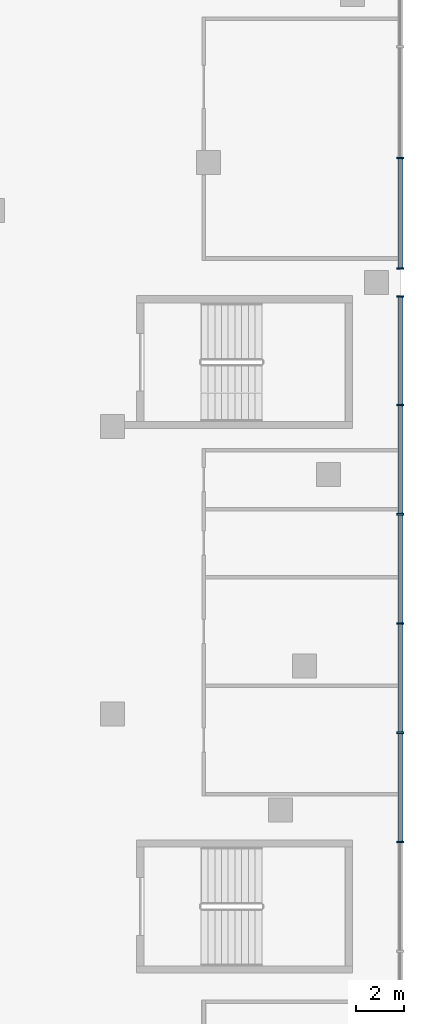
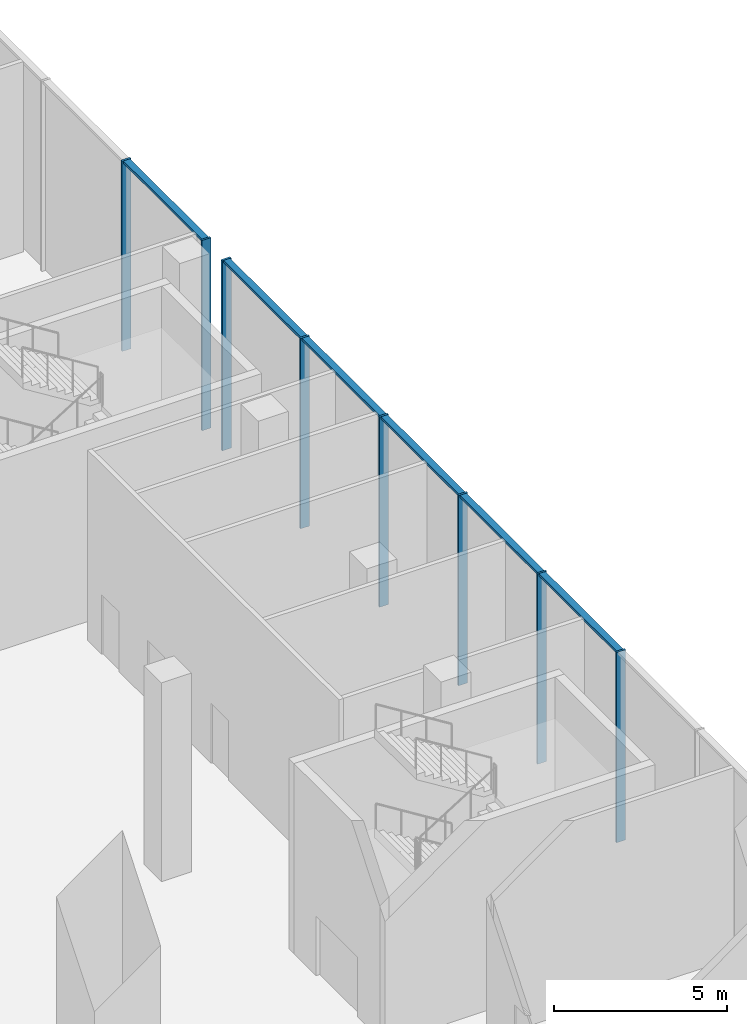
# One storey, part 15 of 41: 14 members, 2 elements without a shape of their own.
"""IFC4 building model written with IfcOpenShell, lengths in metres."""

import ifcopenshell
import ifcopenshell.guid

model = None  # the IFC model being written
_history = None  # IfcOwnerHistory: only IFC2X3 demands one
_inside = {}  # id of a spatial element -> (the spatial element, [elements in it])
_under = {}  # id of a project, library or spatial element -> (it, [spatial elements below it])
_declared = {}  # id of a project -> (the project, [libraries it declares])
_typed = {}  # id of a type object -> (the type object, [elements of that type])
_made_of = {}  # id of a material, layer set ... -> (it, [elements and type objects made of it])


def new_model(schema):
    """Start an empty IFC model of exactly this schema.

    Asked for "IFC4X3", IfcOpenShell would pick the latest addendum, in which some entities
    have other attributes; the version numbers below select the first issue.
    IFC2X3 requires an IfcOwnerHistory on every rooted entity: one is made here for all.
    """
    global model, _history
    if schema == "IFC4X3":
        model = ifcopenshell.file(schema_version=(4, 3, 0, 0))
    else:
        model = ifcopenshell.file(schema=schema)
    _inside.clear()
    _under.clear()
    _declared.clear()
    _typed.clear()
    _made_of.clear()
    _history = None
    if model.schema == "IFC2X3":
        org = make("IfcOrganization", Name="unknown")
        user = make(
            "IfcPersonAndOrganization",
            ThePerson=make("IfcPerson", FamilyName="unknown"),
            TheOrganization=org,
        )
        app = make(
            "IfcApplication",
            ApplicationDeveloper=org,
            Version="unknown",
            ApplicationFullName="unknown",
            ApplicationIdentifier="unknown",
        )
        _history = make(
            "IfcOwnerHistory",
            OwningUser=user,
            OwningApplication=app,
            ChangeAction="ADDED",
            CreationDate=0,
        )
    return model


def make(cls, **values):
    """One entity of the class cls with the attributes given. An attribute that is None is left unset."""
    return model.create_entity(
        cls, **{name: value for name, value in values.items() if value is not None}
    )


def rooted(cls, **values):
    """An entity with a GlobalId (a new one), such as an element, a storey or a relation."""
    return make(cls, GlobalId=ifcopenshell.guid.new(), OwnerHistory=_history, **values)


def si_unit(unit_type, name, prefix=None):
    """IfcSIUnit, for example si_unit("LENGTHUNIT", "METRE", prefix="MILLI")."""
    return make("IfcSIUnit", UnitType=unit_type, Prefix=prefix, Name=name)


def assignment(units):
    """IfcUnitAssignment: the units of a project."""
    return None if units is None else make("IfcUnitAssignment", Units=units)


def point(xyz):
    """IfcCartesianPoint."""
    return None if xyz is None else make("IfcCartesianPoint", Coordinates=xyz)


def direction(xyz):
    """IfcDirection."""
    return None if xyz is None else make("IfcDirection", DirectionRatios=xyz)


def frame(location, z_axis=None, x_axis=None):
    """IfcAxis2Placement3D, a coordinate frame: its origin and axes. An axis left out is left unset."""
    return make(
        "IfcAxis2Placement3D",
        Location=point(location),
        Axis=direction(z_axis),
        RefDirection=direction(x_axis),
    )


def frame_2d(location, x_axis=None):
    """IfcAxis2Placement2D, a coordinate frame in the plane: its origin and x axis."""
    return make(
        "IfcAxis2Placement2D", Location=point(location), RefDirection=direction(x_axis)
    )


def origin():
    """The frame at (0, 0, 0) with its axes left unset."""
    return frame((0.0, 0.0, 0.0))


def origin_2d():
    """The frame at (0, 0) in the plane with its x axis left unset."""
    return frame_2d((0.0, 0.0))


def place(relative_to, where):
    """IfcLocalPlacement: puts the frame where relative to a parent placement (None: the world)."""
    return make(
        "IfcLocalPlacement", PlacementRelTo=relative_to, RelativePlacement=where
    )


def context(
    kind, dimensions, precision=None, world=None, true_north=None, identifier=None
):
    """IfcGeometricRepresentationContext, for example the 3D "Model" context."""
    return make(
        "IfcGeometricRepresentationContext",
        ContextIdentifier=identifier,
        ContextType=kind,
        CoordinateSpaceDimension=dimensions,
        Precision=precision,
        WorldCoordinateSystem=world,
        TrueNorth=true_north,
    )


def subcontext(parent, identifier, kind, view, scale=None):
    """IfcGeometricRepresentationSubContext, for example "Body" below "Model"."""
    return make(
        "IfcGeometricRepresentationSubContext",
        ContextIdentifier=identifier,
        ContextType=kind,
        ParentContext=parent,
        TargetScale=scale,
        TargetView=view,
    )


def project(units=None, contexts=None):
    """IfcProject with its units and contexts."""
    return rooted(
        "IfcProject",
        Name="project",
        RepresentationContexts=contexts,
        UnitsInContext=assignment(units),
    )


def spatial(cls, under=None, at=None, **own):
    """A site, building, storey or space (cls), placed at a placement, below another one or the project."""
    s = rooted(cls, ObjectPlacement=at, **own)
    if under is not None:
        _under.setdefault(under.id(), (under, []))[1].append(s)
    return s


def profile(cls, at=None, kind="AREA", **sizes):
    """A parametric profile (cls). Its sizes go by their IFC names, for example OverallWidth=200.0."""
    return make(cls, ProfileType=kind, Position=at, **sizes)


def rectangle(**sizes):
    """IfcRectangleProfileDef."""
    return profile("IfcRectangleProfileDef", **sizes)


def extrude(swept, where, along, depth):
    """IfcExtrudedAreaSolid: the profile swept, set in the frame where, extruded along a direction by depth."""
    return make(
        "IfcExtrudedAreaSolid",
        SweptArea=swept,
        Position=where,
        ExtrudedDirection=direction(along),
        Depth=depth,
    )


def shape(context_of_items, identifier, shape_type, items):
    """IfcShapeRepresentation: the items that make up one representation, for example the "Body"."""
    return make(
        "IfcShapeRepresentation",
        ContextOfItems=context_of_items,
        RepresentationIdentifier=identifier,
        RepresentationType=shape_type,
        Items=items,
    )


def material(Name=None, Category=None):
    """IfcMaterial."""
    return make("IfcMaterial", Name=Name, Category=Category)


def material_profile(
    of_material, cross_section, Name=None, Category=None, Priority=None
):
    """IfcMaterialProfile: a cross section and its material."""
    return make(
        "IfcMaterialProfile",
        Name=Name,
        Material=of_material,
        Profile=cross_section,
        Priority=Priority,
        Category=Category,
    )


def profile_set(profiles, Name=None, composite=None):
    """IfcMaterialProfileSet."""
    return make(
        "IfcMaterialProfileSet",
        Name=Name,
        MaterialProfiles=profiles,
        CompositeProfile=composite,
    )


def made_of(thing, what):
    """Note that an element or type object is made of a material, layer set ...; save() writes the relation."""
    if what is not None:
        _made_of.setdefault(what.id(), (what, []))[1].append(thing)
    return thing


def type_object(cls, material=None, **own):
    """A type object (cls), such as IfcWallType, which elements share."""
    return made_of(rooted(cls, **own), material)


def element(
    cls,
    number,
    at=None,
    inside=None,
    cuts=None,
    type_object=None,
    material=None,
    context=None,
    identifier="Body",
    shape_type=None,
    held_by="IfcProductDefinitionShape",
    body=None,
    shapes=None,
    **own,
):
    """One element of the class cls, such as IfcWall. Its Tag is "e" and its number.

    at: its placement. inside: the storey or other place that contains it. cuts: it is an
    opening in that element (IfcRelVoidsElement). A single representation is given by context,
    identifier, shape_type and body (its items); several are given by shapes. held_by: the class
    of the entity that holds the representations. save() writes the other relations.
    """
    e = rooted(cls, Tag="e%d" % number, ObjectPlacement=at, **own)
    if body is not None:
        shapes = [shape(context, identifier, shape_type, body)]
    if shapes is not None:
        e.Representation = make(held_by, Representations=shapes)
    if inside is not None:
        _inside.setdefault(inside.id(), (inside, []))[1].append(e)
    if cuts is not None:
        rooted(
            "IfcRelVoidsElement", RelatingBuildingElement=cuts, RelatedOpeningElement=e
        )
    if type_object is not None:
        _typed.setdefault(type_object.id(), (type_object, []))[1].append(e)
    return made_of(e, material)


def aggregate(whole, parts):
    """IfcRelAggregates: a whole, such as a stair, and the parts it consists of."""
    return rooted("IfcRelAggregates", RelatingObject=whole, RelatedObjects=parts)


def save(model, path):
    """Write the relations noted so far, then the file.

    IfcRelAggregates (storeys below a building ...), IfcRelContainedInSpatialStructure (elements
    in a storey), IfcRelDefinesByType, IfcRelAssociatesMaterial and IfcRelDeclares: one each for
    every whole, place, type object, material and project.
    """
    for whole, parts in _under.values():
        aggregate(whole, parts)
    for where, things in _inside.values():
        rooted(
            "IfcRelContainedInSpatialStructure",
            RelatedElements=things,
            RelatingStructure=where,
        )
    for kind, things in _typed.values():
        rooted("IfcRelDefinesByType", RelatedObjects=things, RelatingType=kind)
    for what, things in _made_of.values():
        rooted("IfcRelAssociatesMaterial", RelatedObjects=things, RelatingMaterial=what)
    for by, libraries in _declared.values():
        rooted("IfcRelDeclares", RelatingContext=by, RelatedDefinitions=libraries)
    model.write(path)


model = new_model("IFC4")

# Units and contexts
model_context = context("Model", 3, precision=1e-05, world=origin(), true_north=direction((0.0, 1.0)))
body_context = subcontext(model_context, "Body", "Model", "MODEL_VIEW")
ifc_project = project(units=[si_unit("LENGTHUNIT", "METRE"), si_unit("AREAUNIT", "SQUARE_METRE"), si_unit("VOLUMEUNIT", "CUBIC_METRE"), si_unit("PLANEANGLEUNIT", "RADIAN"), si_unit("MASSUNIT", "GRAM", prefix="KILO")], contexts=[model_context])

# Site, building, storey
site_placement = place(None, origin())
site = spatial("IfcSite", under=ifc_project, at=site_placement, CompositionType="ELEMENT")
building_placement = place(site_placement, origin())
building = spatial("IfcBuilding", under=site, at=building_placement, Name="Wharfspan Tower", CompositionType="ELEMENT")
storey_placement = place(building_placement, frame((0.0, 0.0, 8.0)))
storey = spatial("IfcBuildingStorey", under=building, at=storey_placement, Name="L01", CompositionType="ELEMENT", Elevation=8.0)

# Curtain wall, members
ifc_material = material(Name="Aluminium 6063-T6", Category="aluminium")
curtain_wall_type = type_object("IfcCurtainWallType", Name="CURTAIN WALL ARENA STICK WALL", PredefinedType="NOTDEFINED", material=ifc_material)
curtain_wall_1_placement = place(storey_placement, origin())
curtain_wall_1 = element("IfcCurtainWall", 1, at=curtain_wall_1_placement, inside=storey, type_object=curtain_wall_type, Name="Concourse stick wall PF3.2", PredefinedType="NOTDEFINED")
ifc_material_profile_1 = material_profile(ifc_material, rectangle(XDim=0.300049, YDim=0.070068, at=origin_2d()))
ifc_profile_set_1 = profile_set([ifc_material_profile_1], Name="Aluminium 6063-T6")
member_type_1 = type_object("IfcMemberType", Name="MULLION ARENA STICK WALL 70x300", PredefinedType="MULLION", material=ifc_profile_set_1)
member_1_placement = place(storey_placement, frame((108.0, 2.664307, 0.0), z_axis=(0.0, 0.0, 1.0), x_axis=(-1.0, 0.0, 0.0)))
member_1 = element("IfcMember", 2, at=member_1_placement, type_object=member_type_1, Name="Concourse stick wall PF3.2 mullion 3", PredefinedType="MULLION", context=body_context, shape_type="SweptSolid", body=[
    extrude(rectangle(XDim=0.300049, YDim=0.070068, at=origin_2d()), origin(), (0.0, 0.0, 1.0), 6.699951),
])
member_2_placement = place(storey_placement, frame((108.0, 7.221436, 0.0), z_axis=(0.0, 0.0, 1.0), x_axis=(-1.0, 0.0, 0.0)))
member_2 = element("IfcMember", 3, at=member_2_placement, type_object=member_type_1, Name="Concourse stick wall PF3.2 mullion 4", PredefinedType="MULLION", context=body_context, shape_type="SweptSolid", body=[
    extrude(rectangle(XDim=0.300049, YDim=0.070068, at=origin_2d()), origin(), (0.0, 0.0, 1.0), 6.699951),
])
member_3_placement = place(storey_placement, frame((108.0, 11.778564, 0.0), z_axis=(0.0, 0.0, 1.0), x_axis=(-1.0, 0.0, 0.0)))
member_3 = element("IfcMember", 4, at=member_3_placement, type_object=member_type_1, Name="Concourse stick wall PF3.2 mullion 5", PredefinedType="MULLION", context=body_context, shape_type="SweptSolid", body=[
    extrude(rectangle(XDim=0.300049, YDim=0.070068, at=origin_2d()), origin(), (0.0, 0.0, 1.0), 6.699951),
])
member_4_placement = place(storey_placement, frame((108.0, 16.335693, 0.0), z_axis=(0.0, 0.0, 1.0), x_axis=(-1.0, 0.0, 0.0)))
member_4 = element("IfcMember", 5, at=member_4_placement, type_object=member_type_1, Name="Concourse stick wall PF3.2 mullion 6", PredefinedType="MULLION", context=body_context, shape_type="SweptSolid", body=[
    extrude(rectangle(XDim=0.300049, YDim=0.070068, at=origin_2d()), origin(), (0.0, 0.0, 1.0), 6.699951),
])
member_5_placement = place(storey_placement, frame((108.0, 20.892822, 0.0), z_axis=(0.0, 0.0, 1.0), x_axis=(-1.0, 0.0, 0.0)))
member_5 = element("IfcMember", 6, at=member_5_placement, type_object=member_type_1, Name="Concourse stick wall PF3.2 mullion 7", PredefinedType="MULLION", context=body_context, shape_type="SweptSolid", body=[
    extrude(rectangle(XDim=0.300049, YDim=0.070068, at=origin_2d()), origin(), (0.0, 0.0, 1.0), 6.699951),
])
member_6_placement = place(storey_placement, frame((108.0, 25.415039, 0.0), z_axis=(0.0, 0.0, 1.0), x_axis=(-1.0, 0.0, 0.0)))
member_6 = element("IfcMember", 7, at=member_6_placement, type_object=member_type_1, Name="Concourse stick wall PF3.2 mullion 8", PredefinedType="MULLION", context=body_context, shape_type="SweptSolid", body=[
    extrude(rectangle(XDim=0.300049, YDim=0.070068, at=origin_2d()), origin(), (0.0, 0.0, 1.0), 6.699951),
])

curtain_wall_2_placement = place(storey_placement, origin())
curtain_wall_2 = element("IfcCurtainWall", 8, at=curtain_wall_2_placement, inside=storey, type_object=curtain_wall_type, Name="Concourse stick wall PF3.3", PredefinedType="NOTDEFINED")
member_7_placement = place(storey_placement, frame((108.0, 26.584961, 0.0), z_axis=(0.0, 0.0, 1.0), x_axis=(-1.0, 0.0, 0.0)))
member_7 = element("IfcMember", 9, at=member_7_placement, type_object=member_type_1, Name="Concourse stick wall PF3.3 mullion 1", PredefinedType="MULLION", context=body_context, shape_type="SweptSolid", body=[
    extrude(rectangle(XDim=0.300049, YDim=0.070068, at=origin_2d()), origin(), (0.0, 0.0, 1.0), 6.699951),
])
member_8_placement = place(storey_placement, frame((108.0, 31.189941, 0.0), z_axis=(0.0, 0.0, 1.0), x_axis=(-1.0, 0.0, 0.0)))
member_8 = element("IfcMember", 10, at=member_8_placement, type_object=member_type_1, Name="Concourse stick wall PF3.3 mullion 2", PredefinedType="MULLION", context=body_context, shape_type="SweptSolid", body=[
    extrude(rectangle(XDim=0.300049, YDim=0.070068, at=origin_2d()), origin(), (0.0, 0.0, 1.0), 6.699951),
])

# Member
ifc_material_profile_2 = material_profile(ifc_material, rectangle(XDim=0.219971, YDim=0.090088, at=origin_2d()))
ifc_profile_set_2 = profile_set([ifc_material_profile_2], Name="Aluminium 6063-T6")
member_type_2 = type_object("IfcMemberType", Name="TRANSOM ARENA STICK WALL 90x220", PredefinedType="USERDEFINED", material=ifc_profile_set_2)
member_9_placement = place(storey_placement, frame((108.0, 2.699219, 6.655029), z_axis=(0.0, 1.0, 0.0), x_axis=(-1.0, 0.0, 0.0)))
member_9 = element("IfcMember", 11, at=member_9_placement, type_object=member_type_2, Name="Concourse stick wall PF3.2 transom 3", ObjectType="TRANSOM", PredefinedType="USERDEFINED", context=body_context, shape_type="SweptSolid", body=[
    extrude(rectangle(XDim=0.219971, YDim=0.090088, at=origin_2d()), origin(), (0.0, 0.0, 1.0), 4.487305),
])

member_10_placement = place(storey_placement, frame((108.0, 7.256348, 6.655029), z_axis=(0.0, 1.0, 0.0), x_axis=(-1.0, 0.0, 0.0)))
member_10 = element("IfcMember", 12, at=member_10_placement, type_object=member_type_2, Name="Concourse stick wall PF3.2 transom 4", ObjectType="TRANSOM", PredefinedType="USERDEFINED", context=body_context, shape_type="SweptSolid", body=[
    extrude(rectangle(XDim=0.219971, YDim=0.090088, at=origin_2d()), origin(), (0.0, 0.0, 1.0), 4.487305),
])

member_11_placement = place(storey_placement, frame((108.0, 11.813477, 6.655029), z_axis=(0.0, 1.0, 0.0), x_axis=(-1.0, 0.0, 0.0)))
member_11 = element("IfcMember", 13, at=member_11_placement, type_object=member_type_2, Name="Concourse stick wall PF3.2 transom 5", ObjectType="TRANSOM", PredefinedType="USERDEFINED", context=body_context, shape_type="SweptSolid", body=[
    extrude(rectangle(XDim=0.219971, YDim=0.090088, at=origin_2d()), origin(), (0.0, 0.0, 1.0), 4.487305),
])

member_12_placement = place(storey_placement, frame((108.0, 16.370605, 6.655029), z_axis=(0.0, 1.0, 0.0), x_axis=(-1.0, 0.0, 0.0)))
member_12 = element("IfcMember", 14, at=member_12_placement, type_object=member_type_2, Name="Concourse stick wall PF3.2 transom 6", ObjectType="TRANSOM", PredefinedType="USERDEFINED", context=body_context, shape_type="SweptSolid", body=[
    extrude(rectangle(XDim=0.219971, YDim=0.090088, at=origin_2d()), origin(), (0.0, 0.0, 1.0), 4.487305),
])

member_13_placement = place(storey_placement, frame((108.0, 20.927979, 6.655029), z_axis=(0.0, 1.0, 0.0), x_axis=(-1.0, 0.0, 0.0)))
member_13 = element("IfcMember", 15, at=member_13_placement, type_object=member_type_2, Name="Concourse stick wall PF3.2 transom 7", ObjectType="TRANSOM", PredefinedType="USERDEFINED", context=body_context, shape_type="SweptSolid", body=[
    extrude(rectangle(XDim=0.219971, YDim=0.090088, at=origin_2d()), origin(), (0.0, 0.0, 1.0), 4.451904),
])

aggregate(curtain_wall_1, [member_1, member_2, member_3, member_4, member_5, member_6, member_9, member_10, member_11, member_12, member_13])

member_14_placement = place(storey_placement, frame((108.0, 26.620117, 6.655029), z_axis=(0.0, 1.0, 0.0), x_axis=(-1.0, 0.0, 0.0)))
member_14 = element("IfcMember", 16, at=member_14_placement, type_object=member_type_2, Name="Concourse stick wall PF3.3 transom 1", ObjectType="TRANSOM", PredefinedType="USERDEFINED", context=body_context, shape_type="SweptSolid", body=[
    extrude(rectangle(XDim=0.219971, YDim=0.090088, at=origin_2d()), origin(), (0.0, 0.0, 1.0), 4.534912),
])

aggregate(curtain_wall_2, [member_7, member_8, member_14])

save(model, "model.ifc")
